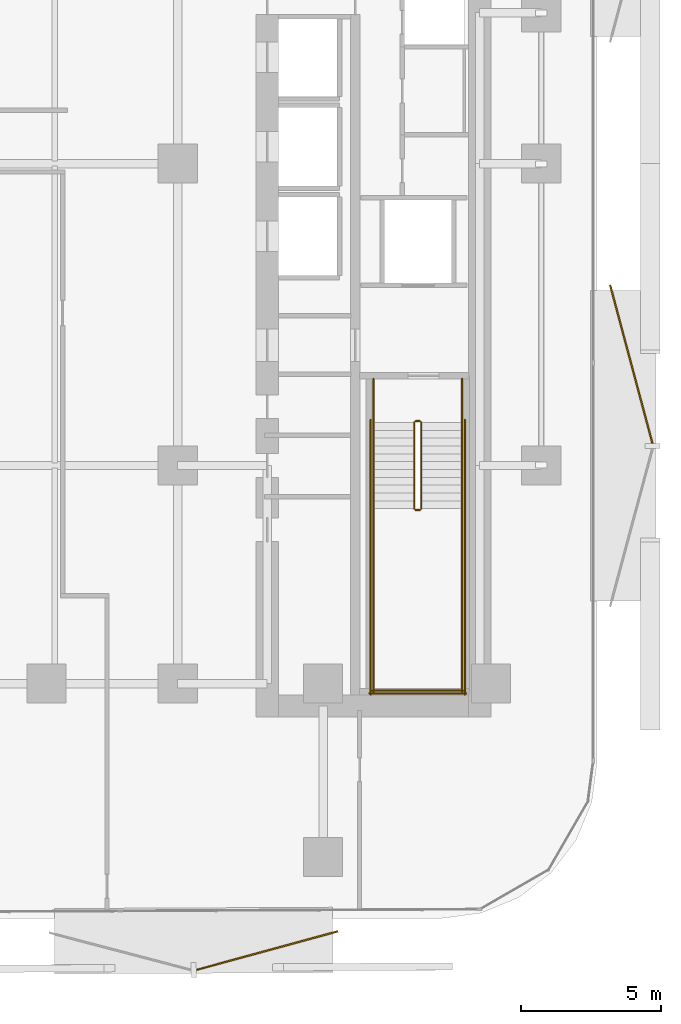
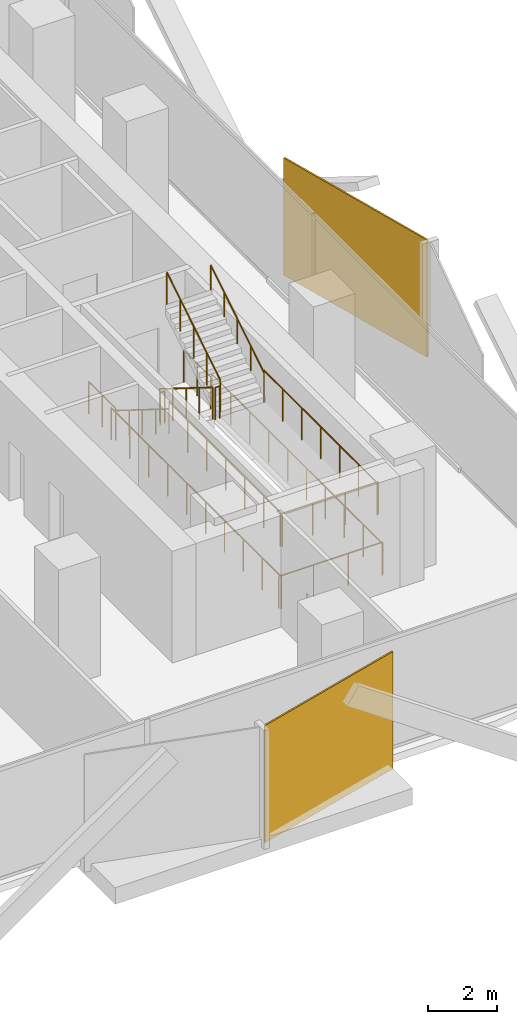
# One storey, part 13 of 15: 14 railings, 2 coverings.
"""IFC4 building model written with IfcOpenShell, lengths in metres."""

from ifc_helpers import new_model, si_unit, direction, frame, origin, origin_2d, place, context, subcontext, project, spatial, rectangle, circle, extrude, material, layer, layer_set, type_object, element, save


model = new_model("IFC4")

# Units and contexts
model_context = context("Model", 3, precision=1e-05, world=origin(), true_north=direction((0.0, 1.0)))
body_context = subcontext(model_context, "Body", "Model", "MODEL_VIEW")
ifc_project = project(units=[si_unit("LENGTHUNIT", "METRE"), si_unit("AREAUNIT", "SQUARE_METRE"), si_unit("VOLUMEUNIT", "CUBIC_METRE"), si_unit("PLANEANGLEUNIT", "RADIAN"), si_unit("MASSUNIT", "GRAM", prefix="KILO")], contexts=[model_context])

# Site, building, storey
site_placement = place(None, origin())
site = spatial("IfcSite", under=ifc_project, at=site_placement, CompositionType="ELEMENT")
building_placement = place(site_placement, origin())
building = spatial("IfcBuilding", under=site, at=building_placement, Name="Khairoan Windgate Tower", CompositionType="ELEMENT")
storey_placement = place(building_placement, frame((0.0, 0.0, 76.39990234375)))
storey = spatial("IfcBuildingStorey", under=building, at=storey_placement, Name="L18", CompositionType="ELEMENT", Elevation=76.39990234375)

# Coverings
ifc_material_1 = material(Name="Anodised Bronze Aluminium 6063-T6", Category="aluminium")
ifc_layer = layer(ifc_material_1, 0.054931640625, Name="Anodised Bronze Aluminium 6063-T6")
ifc_layer_set = layer_set([ifc_layer], Name="Anodised Bronze Aluminium 6063-T6")
covering_type = type_object("IfcCoveringType", Name="Perforated Bronze-Ceramic Folded Solar Screen Cladding BSC-1", PredefinedType="CLADDING", material=ifc_layer_set)
covering_1_placement = place(storey_placement, frame((12.39453125, -28.150390625, -0.099609375), z_axis=(0.0, 0.0, 1.0), x_axis=(-0.964649468762, -0.263536339841, 0.0)))
element("IfcCovering", 1, at=covering_1_placement, inside=storey, type_object=covering_type, Name="L18 Folded Bronze Solar Screen Facet 97L", PredefinedType="CLADDING", context=body_context, shape_type="SweptSolid", body=[
    extrude(rectangle(XDim=5.25, YDim=0.054931640625, at=origin_2d()), origin(), (0.0, 0.0, 1.0), 4.139892578125),
])
covering_2_placement = place(storey_placement, frame((25.42236328125, -7.177734375, -0.099609375), z_axis=(0.0, 0.0, 1.0), x_axis=(0.258819045103, -0.965925826289, 0.0)))
element("IfcCovering", 2, at=covering_2_placement, inside=storey, type_object=covering_type, Name="L18 Folded Bronze Solar Screen Facet 104L", PredefinedType="CLADDING", context=body_context, shape_type="SweptSolid", body=[
    extrude(rectangle(XDim=5.85498046875, YDim=0.054931640625, at=origin_2d()), origin(), (0.0, 0.0, 1.0), 4.139892578125),
])

# Railings
ifc_material_2 = material(Name="Anodised Bronze Aluminium 6063-T6", Category="aluminium")
railing_type_1 = type_object("IfcRailingType", Name="Stair Wall Handrail SHR-900", PredefinedType="HANDRAIL", material=ifc_material_2)
railing_1_placement = place(storey_placement, frame((16.199951171875, -9.260009765625, 0.175048828125)))
element("IfcRailing", 3, at=railing_1_placement, inside=storey, type_object=railing_type_1, Name="L18 ST1 stair handrail 1", PredefinedType="HANDRAIL", context=body_context, shape_type="SweptSolid", body=[
    extrude(circle(Radius=0.02392578125, at=origin_2d()), frame((0.0, 0.0, 0.8759765625), z_axis=(0.0, -0.847998304005, 0.529998940003), x_axis=(1.0, 0.0, 0.0)), (0.0, 0.0, 1.0), 3.632080078125),
    extrude(circle(Radius=0.02099609375, at=origin_2d()), origin(), (0.0, 0.0, 1.0), 0.851806640625),
    extrude(circle(Radius=0.02099609375, at=origin_2d()), frame((0.0, -0.77001953125, 0.481201171875)), (0.0, 0.0, 1.0), 0.851806640625),
    extrude(circle(Radius=0.02099609375, at=origin_2d()), frame((0.0, -1.5400390625, 0.96240234375)), (0.0, 0.0, 1.0), 0.851806640625),
    extrude(circle(Radius=0.02099609375, at=origin_2d()), frame((0.0, -2.31005859375, 1.44384765625)), (0.0, 0.0, 1.0), 0.851806640625),
    extrude(circle(Radius=0.02099609375, at=origin_2d()), frame((0.0, -3.080078125, 1.925048828125)), (0.0, 0.0, 1.0), 0.851806640625),
])
railing_2_placement = place(storey_placement, frame((19.3701171875, -12.340087890625, 2.275146484375)))
element("IfcRailing", 4, at=railing_2_placement, inside=storey, type_object=railing_type_1, Name="L18 ST1 stair handrail 2", PredefinedType="HANDRAIL", context=body_context, shape_type="SweptSolid", body=[
    extrude(circle(Radius=0.02392578125, at=origin_2d()), frame((0.0, 0.0, 0.8759765625), z_axis=(0.0, 0.847998304005, 0.529998940003), x_axis=(-1.0, 0.0, 0.0)), (0.0, 0.0, 1.0), 3.632080078125),
    extrude(circle(Radius=0.02099609375, at=origin_2d()), origin(), (0.0, 0.0, 1.0), 0.851806640625),
    extrude(circle(Radius=0.02099609375, at=origin_2d()), frame((0.0, 0.77001953125, 0.481201171875)), (0.0, 0.0, 1.0), 0.851806640625),
    extrude(circle(Radius=0.02099609375, at=origin_2d()), frame((0.0, 1.5400390625, 0.96240234375)), (0.0, 0.0, 1.0), 0.851806640625),
    extrude(circle(Radius=0.02099609375, at=origin_2d()), frame((0.0, 2.31005859375, 1.44384765625)), (0.0, 0.0, 1.0), 0.851806640625),
    extrude(circle(Radius=0.02099609375, at=origin_2d()), frame((0.0, 3.080078125, 1.925048828125)), (0.0, 0.0, 1.0), 0.851806640625),
])
ifc_material_3 = material(Name="Steel S355", Category="steel")
railing_type_2 = type_object("IfcRailingType", Name="Stairwell Safety Guardrail SGR-1150", PredefinedType="GUARDRAIL", material=ifc_material_3)
railing_3_placement = place(storey_placement, frame((17.659912109375, -9.260009765625, 0.175048828125)))
element("IfcRailing", 5, at=railing_3_placement, inside=storey, type_object=railing_type_2, Name="L18 ST1 stair guard 1", PredefinedType="GUARDRAIL", context=body_context, shape_type="SweptSolid", body=[
    extrude(circle(Radius=0.02392578125, at=origin_2d()), frame((0.0, 0.0, 1.1259765625), z_axis=(0.0, -0.847998304005, 0.529998940003), x_axis=(1.0, 0.0, 0.0)), (0.0, 0.0, 1.0), 3.632080078125),
    extrude(circle(Radius=0.02099609375, at=origin_2d()), origin(), (0.0, 0.0, 1.0), 1.101806640625),
    extrude(circle(Radius=0.02099609375, at=origin_2d()), frame((0.0, -0.77001953125, 0.481201171875)), (0.0, 0.0, 1.0), 1.101806640625),
    extrude(circle(Radius=0.02099609375, at=origin_2d()), frame((0.0, -1.5400390625, 0.96240234375)), (0.0, 0.0, 1.0), 1.101806640625),
    extrude(circle(Radius=0.02099609375, at=origin_2d()), frame((0.0, -2.31005859375, 1.44384765625)), (0.0, 0.0, 1.0), 1.101806640625),
    extrude(circle(Radius=0.02099609375, at=origin_2d()), frame((0.0, -3.080078125, 1.925048828125)), (0.0, 0.0, 1.0), 1.101806640625),
])
railing_4_placement = place(storey_placement, frame((17.7099609375, -12.389892578125, 2.10009765625)))
element("IfcRailing", 6, at=railing_4_placement, inside=storey, type_object=railing_type_2, Name="L18 ST1 stair guard 2", PredefinedType="GUARDRAIL", context=body_context, shape_type="SweptSolid", body=[
    extrude(circle(Radius=0.02392578125, at=origin_2d()), frame((0.0, 0.0, 1.1259765625), z_axis=(1.0, 0.0, 0.0), x_axis=(0.0, 1.0, 0.0)), (0.0, 0.0, 1.0), 0.150146484375),
    extrude(circle(Radius=0.02099609375, at=origin_2d()), origin(), (0.0, 0.0, 1.0), 1.101806640625),
    extrude(circle(Radius=0.02099609375, at=origin_2d()), frame((0.150146484375, 0.0, 0.0)), (0.0, 0.0, 1.0), 1.101806640625),
])
for number, where, name in (
    (7, (16.199951171875, -12.340087890625, 2.10009765625), "L18 ST1 stair guard 3"),
    (8, (19.3701171875, -12.340087890625, 2.10009765625), "L18 ST1 stair guard 4"),
):
    element("IfcRailing", number, at=place(storey_placement, frame(where)), inside=storey, type_object=railing_type_2, Name=name, PredefinedType="GUARDRAIL", context=body_context, shape_type="SweptSolid", body=[
        extrude(circle(Radius=0.02392578125, at=origin_2d()), frame((0.0, 0.0, 1.1259765625), z_axis=(0.0, -1.0, 0.0), x_axis=(1.0, 0.0, 0.0)), (0.0, 0.0, 1.0), 6.559814453125),
        extrude(circle(Radius=0.02099609375, at=origin_2d()), origin(), (0.0, 0.0, 1.0), 1.101806640625),
        extrude(circle(Radius=0.02099609375, at=origin_2d()), frame((0.0, -1.09326171875, 0.0)), (0.0, 0.0, 1.0), 1.101806640625),
        extrude(circle(Radius=0.02099609375, at=origin_2d()), frame((0.0, -2.1865234375, 0.0)), (0.0, 0.0, 1.0), 1.101806640625),
        extrude(circle(Radius=0.02099609375, at=origin_2d()), frame((0.0, -3.27978515625, 0.0)), (0.0, 0.0, 1.0), 1.101806640625),
        extrude(circle(Radius=0.02099609375, at=origin_2d()), frame((0.0, -4.373291015625, 0.0)), (0.0, 0.0, 1.0), 1.101806640625),
        extrude(circle(Radius=0.02099609375, at=origin_2d()), frame((0.0, -5.466552734375, 0.0)), (0.0, 0.0, 1.0), 1.101806640625),
        extrude(circle(Radius=0.02099609375, at=origin_2d()), frame((0.0, -6.559814453125, 0.0)), (0.0, 0.0, 1.0), 1.101806640625),
    ])
railing_5_placement = place(storey_placement, frame((16.14990234375, -18.85009765625, 2.10009765625)))
element("IfcRailing", 9, at=railing_5_placement, inside=storey, type_object=railing_type_2, Name="L18 ST1 stair guard 5", PredefinedType="GUARDRAIL", context=body_context, shape_type="SweptSolid", body=[
    extrude(circle(Radius=0.02392578125, at=origin_2d()), frame((0.0, 0.0, 1.1259765625), z_axis=(1.0, 0.0, 0.0), x_axis=(0.0, 1.0, 0.0)), (0.0, 0.0, 1.0), 3.27001953125),
    extrude(circle(Radius=0.02099609375, at=origin_2d()), origin(), (0.0, 0.0, 1.0), 1.101806640625),
    extrude(circle(Radius=0.02099609375, at=origin_2d()), frame((1.090087890625, 0.0, 0.0)), (0.0, 0.0, 1.0), 1.101806640625),
    extrude(circle(Radius=0.02099609375, at=origin_2d()), frame((2.179931640625, 0.0, 0.0)), (0.0, 0.0, 1.0), 1.101806640625),
    extrude(circle(Radius=0.02099609375, at=origin_2d()), frame((3.27001953125, 0.0, 0.0)), (0.0, 0.0, 1.0), 1.101806640625),
])
railing_6_placement = place(storey_placement, frame((17.909912109375, -12.340087890625, 2.275146484375)))
element("IfcRailing", 10, at=railing_6_placement, inside=storey, type_object=railing_type_2, Name="L18 ST1 stair guard 6", PredefinedType="GUARDRAIL", context=body_context, shape_type="SweptSolid", body=[
    extrude(circle(Radius=0.02392578125, at=origin_2d()), frame((0.0, 0.0, 1.1259765625), z_axis=(0.0, 0.847998304005, 0.529998940003), x_axis=(-1.0, 0.0, 0.0)), (0.0, 0.0, 1.0), 3.632080078125),
    extrude(circle(Radius=0.02099609375, at=origin_2d()), origin(), (0.0, 0.0, 1.0), 1.101806640625),
    extrude(circle(Radius=0.02099609375, at=origin_2d()), frame((0.0, 0.77001953125, 0.481201171875)), (0.0, 0.0, 1.0), 1.101806640625),
    extrude(circle(Radius=0.02099609375, at=origin_2d()), frame((0.0, 1.5400390625, 0.96240234375)), (0.0, 0.0, 1.0), 1.101806640625),
    extrude(circle(Radius=0.02099609375, at=origin_2d()), frame((0.0, 2.31005859375, 1.44384765625)), (0.0, 0.0, 1.0), 1.101806640625),
    extrude(circle(Radius=0.02099609375, at=origin_2d()), frame((0.0, 3.080078125, 1.925048828125)), (0.0, 0.0, 1.0), 1.101806640625),
])
railing_7_placement = place(storey_placement, frame((17.7099609375, -9.2099609375, 0.0)))
element("IfcRailing", 11, at=railing_7_placement, inside=storey, type_object=railing_type_2, Name="L18 ST1 stair guard 7", PredefinedType="GUARDRAIL", context=body_context, shape_type="SweptSolid", body=[
    extrude(circle(Radius=0.02392578125, at=origin_2d()), frame((0.0, 0.0, 1.1259765625), z_axis=(1.0, 0.0, 0.0), x_axis=(0.0, 1.0, 0.0)), (0.0, 0.0, 1.0), 0.150146484375),
    extrude(circle(Radius=0.02099609375, at=origin_2d()), origin(), (0.0, 0.0, 1.0), 1.101806640625),
    extrude(circle(Radius=0.02099609375, at=origin_2d()), frame((0.150146484375, 0.0, 0.0)), (0.0, 0.0, 1.0), 1.101806640625),
])
for number, where, name in (
    (12, (16.199951171875, -7.699951171875, 0.0), "L18 ST1 stair guard 8"),
    (13, (19.3701171875, -7.699951171875, 0.0), "L18 ST1 stair guard 9"),
):
    element("IfcRailing", number, at=place(storey_placement, frame(where)), inside=storey, type_object=railing_type_2, Name=name, PredefinedType="GUARDRAIL", context=body_context, shape_type="SweptSolid", body=[
        extrude(circle(Radius=0.02392578125, at=origin_2d()), frame((0.0, 0.0, 1.1259765625), z_axis=(0.0, -1.0, 0.0), x_axis=(1.0, 0.0, 0.0)), (0.0, 0.0, 1.0), 1.56005859375),
        extrude(circle(Radius=0.02099609375, at=origin_2d()), origin(), (0.0, 0.0, 1.0), 1.101806640625),
        extrude(circle(Radius=0.02099609375, at=origin_2d()), frame((0.0, -0.780029296875, 0.0)), (0.0, 0.0, 1.0), 1.101806640625),
        extrude(circle(Radius=0.02099609375, at=origin_2d()), frame((0.0, -1.56005859375, 0.0)), (0.0, 0.0, 1.0), 1.101806640625),
    ])
for number, where, name in (
    (14, (16.10009765625, -9.159912109375, 0.0), "L18 ST1 stair guard 10"),
    (15, (19.469970703125, -9.159912109375, 0.0), "L18 ST1 stair guard 11"),
):
    element("IfcRailing", number, at=place(storey_placement, frame(where)), inside=storey, type_object=railing_type_2, Name=name, PredefinedType="GUARDRAIL", context=body_context, shape_type="SweptSolid", body=[
        extrude(circle(Radius=0.02392578125, at=origin_2d()), frame((0.0, 0.0, 1.1259765625), z_axis=(0.0, -1.0, 0.0), x_axis=(1.0, 0.0, 0.0)), (0.0, 0.0, 1.0), 9.840087890625),
        extrude(circle(Radius=0.02099609375, at=origin_2d()), origin(), (0.0, 0.0, 1.0), 1.101806640625),
        extrude(circle(Radius=0.02099609375, at=origin_2d()), frame((0.0, -1.09326171875, 0.0)), (0.0, 0.0, 1.0), 1.101806640625),
        extrude(circle(Radius=0.02099609375, at=origin_2d()), frame((0.0, -2.186767578125, 0.0)), (0.0, 0.0, 1.0), 1.101806640625),
        extrude(circle(Radius=0.02099609375, at=origin_2d()), frame((0.0, -3.280029296875, 0.0)), (0.0, 0.0, 1.0), 1.101806640625),
        extrude(circle(Radius=0.02099609375, at=origin_2d()), frame((0.0, -4.373291015625, 0.0)), (0.0, 0.0, 1.0), 1.101806640625),
        extrude(circle(Radius=0.02099609375, at=origin_2d()), frame((0.0, -5.466796875, 0.0)), (0.0, 0.0, 1.0), 1.101806640625),
        extrude(circle(Radius=0.02099609375, at=origin_2d()), frame((0.0, -6.56005859375, 0.0)), (0.0, 0.0, 1.0), 1.101806640625),
        extrude(circle(Radius=0.02099609375, at=origin_2d()), frame((0.0, -7.6533203125, 0.0)), (0.0, 0.0, 1.0), 1.101806640625),
        extrude(circle(Radius=0.02099609375, at=origin_2d()), frame((0.0, -8.746826171875, 0.0)), (0.0, 0.0, 1.0), 1.101806640625),
        extrude(circle(Radius=0.02099609375, at=origin_2d()), frame((0.0, -9.840087890625, 0.0)), (0.0, 0.0, 1.0), 1.101806640625),
    ])
railing_8_placement = place(storey_placement, frame((16.050048828125, -18.949951171875, 0.0)))
element("IfcRailing", 16, at=railing_8_placement, inside=storey, type_object=railing_type_2, Name="L18 ST1 stair guard 12", PredefinedType="GUARDRAIL", context=body_context, shape_type="SweptSolid", body=[
    extrude(circle(Radius=0.02392578125, at=origin_2d()), frame((0.0, 0.0, 1.1259765625), z_axis=(1.0, 0.0, 0.0), x_axis=(0.0, 1.0, 0.0)), (0.0, 0.0, 1.0), 3.469970703125),
    extrude(circle(Radius=0.02099609375, at=origin_2d()), origin(), (0.0, 0.0, 1.0), 1.101806640625),
    extrude(circle(Radius=0.02099609375, at=origin_2d()), frame((1.15673828125, 0.0, 0.0)), (0.0, 0.0, 1.0), 1.101806640625),
    extrude(circle(Radius=0.02099609375, at=origin_2d()), frame((2.313232421875, 0.0, 0.0)), (0.0, 0.0, 1.0), 1.101806640625),
    extrude(circle(Radius=0.02099609375, at=origin_2d()), frame((3.469970703125, 0.0, 0.0)), (0.0, 0.0, 1.0), 1.101806640625),
])

save(model, "model.ifc")
